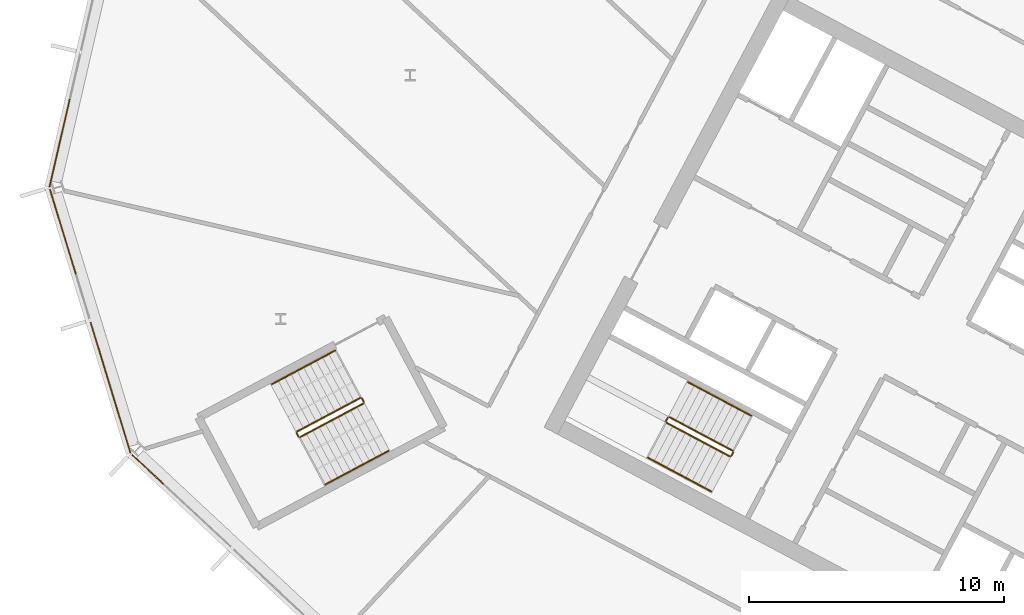
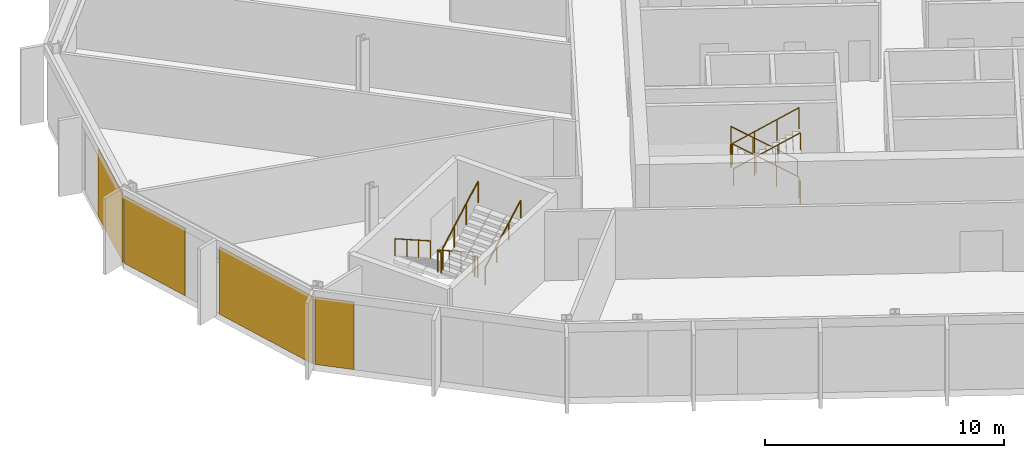
# One storey, part 20 of 26: 12 railings, 4 coverings, 3 elements without a shape of their own.
"""IFC4 building model written with IfcOpenShell, lengths in metres."""

from ifc_helpers import new_model, si_unit, direction, frame, origin, origin_2d, place, context, subcontext, project, spatial, polyline, rectangle, outline, extrude, material, layer, layer_set, type_object, element, aggregate, save


model = new_model("IFC4")

# Units and contexts
model_context = context("Model", 3, precision=1e-05, world=origin(), true_north=direction((0.0, 1.0)))
body_context = subcontext(model_context, "Body", "Model", "MODEL_VIEW")
ifc_project = project(units=[si_unit("LENGTHUNIT", "METRE"), si_unit("AREAUNIT", "SQUARE_METRE"), si_unit("VOLUMEUNIT", "CUBIC_METRE"), si_unit("PLANEANGLEUNIT", "RADIAN"), si_unit("MASSUNIT", "GRAM", prefix="KILO")], contexts=[model_context])

# Site, building, storey
site_placement = place(None, origin())
site = spatial("IfcSite", under=ifc_project, at=site_placement, CompositionType="ELEMENT")
building_placement = place(site_placement, origin())
building = spatial("IfcBuilding", under=site, at=building_placement, Name="Cormorant Relay Tower", CompositionType="ELEMENT")
storey_placement = place(building_placement, frame((0.0, 0.0, 197.39990234375)))
storey = spatial("IfcBuildingStorey", under=building, at=storey_placement, Name="L42", CompositionType="ELEMENT", Elevation=197.39990234375)

# Curtain wall, covering
ifc_material_1 = material(Name="Aluminium 6063-T6 anodised bronze", Category="aluminium")
ifc_layer_1 = layer(ifc_material_1, 0.199951171875)
ifc_layer_set_1 = layer_set([ifc_layer_1], Name="CW1 unitised bronze curtain wall with vertical fins")
curtain_wall_type = type_object("IfcCurtainWallType", Name="CW1 unitised bronze curtain wall with vertical fins", PredefinedType="NOTDEFINED", material=ifc_layer_set_1)
curtain_wall_1_placement = place(storey_placement, origin())
curtain_wall_1 = element("IfcCurtainWall", 1, at=curtain_wall_1_placement, inside=storey, type_object=curtain_wall_type, Name="CW1 curtain wall 13", PredefinedType="NOTDEFINED")
ifc_material_2 = material(Name="Pale bronze anodised aluminium insulated panel", Category="aluminium")
ifc_layer_2 = layer(ifc_material_2, 0.0400390625)
ifc_layer_set_2 = layer_set([ifc_layer_2], Name="CW1 pale bronze insulated panel 40")
covering_type = type_object("IfcCoveringType", Name="CW1 pale bronze insulated panel 40", PredefinedType="CLADDING", material=ifc_layer_set_2)
covering_1_placement = place(storey_placement, frame((-60.3388671875, 22.13232421875, 0.0), z_axis=(0.0, 0.0, 1.0), x_axis=(-0.224951054344, -0.974370064785, 0.0)))
covering_1 = element("IfcCovering", 2, at=covering_1_placement, type_object=covering_type, Name="CW1 panel S02", PredefinedType="CLADDING", context=body_context, shape_type="SweptSolid", body=[
    extrude(rectangle(XDim=3.560302734375, YDim=0.0400390625, at=origin_2d()), origin(), (0.0, 0.0, 1.0), 3.449951171875),
])
aggregate(curtain_wall_1, [covering_1])

# Curtain wall, coverings
curtain_wall_2_placement = place(storey_placement, origin())
curtain_wall_2 = element("IfcCurtainWall", 3, at=curtain_wall_2_placement, inside=storey, type_object=curtain_wall_type, Name="CW1 curtain wall 14", PredefinedType="NOTDEFINED")
covering_2_placement = place(storey_placement, frame((-60.20751953125, 18.6494140625, 0.0), z_axis=(0.0, 0.0, 1.0), x_axis=(0.292371704723, -0.956304755963, 0.0)))
covering_2 = element("IfcCovering", 4, at=covering_2_placement, type_object=covering_type, Name="CW1 panel S00", PredefinedType="CLADDING", context=body_context, shape_type="SweptSolid", body=[
    extrude(rectangle(XDim=3.485107421875, YDim=0.0400390625, at=origin_2d()), origin(), (0.0, 0.0, 1.0), 3.449951171875),
])
covering_3_placement = place(storey_placement, frame((-58.344482421875, 12.55517578125, 0.0), z_axis=(0.0, 0.0, 1.0), x_axis=(0.292371704723, -0.956304755963, 0.0)))
covering_3 = element("IfcCovering", 5, at=covering_3_placement, type_object=covering_type, Name="CW1 panel S02", PredefinedType="CLADDING", context=body_context, shape_type="SweptSolid", body=[
    extrude(rectangle(XDim=5.360107421875, YDim=0.0400390625, at=origin_2d()), origin(), (0.0, 0.0, 1.0), 3.449951171875),
])
aggregate(curtain_wall_2, [covering_2, covering_3])

# Curtain wall, covering
curtain_wall_3_placement = place(storey_placement, origin())
curtain_wall_3 = element("IfcCurtainWall", 6, at=curtain_wall_3_placement, inside=storey, type_object=curtain_wall_type, Name="CW1 curtain wall 15", PredefinedType="NOTDEFINED")
covering_4_placement = place(storey_placement, frame((-56.88427734375, 9.357421875, 0.0), z_axis=(0.0, 0.0, 1.0), x_axis=(0.731353701619, -0.681998360062, 0.0)))
covering_4 = element("IfcCovering", 7, at=covering_4_placement, type_object=covering_type, Name="CW1 panel S00", PredefinedType="CLADDING", context=body_context, shape_type="SweptSolid", body=[
    extrude(rectangle(XDim=1.685302734375, YDim=0.0400390625, at=origin_2d()), origin(), (0.0, 0.0, 1.0), 3.449951171875),
])
aggregate(curtain_wall_3, [covering_4])

# Railings
ifc_material_3 = material(Name="Steel ASTM A572 Grade 50 (Fy 345 MPa)", Category="steel")
railing_type_1 = type_object("IfcRailingType", Name="Stair guard 1100", PredefinedType="GUARDRAIL", material=ifc_material_3)
railing_1_placement = place(storey_placement, frame((-33.9921875, 10.08935546875, 0.177490234375)))
element("IfcRailing", 8, at=railing_1_placement, inside=storey, type_object=railing_type_1, Name="L42 A2 stair guard 1", PredefinedType="GUARDRAIL", context=body_context, shape_type="SweptSolid", body=[
    extrude(outline(polyline([(0.022216796875, 0.00927734375), (0.00927734375, 0.022216796875), (-0.00927734375, 0.022216796875), (-0.022216796875, 0.00927734375), (-0.022216796875, -0.00927734375), (-0.00927734375, -0.022216796875), (0.00927734375, -0.022216796875), (0.022216796875, -0.00927734375), (0.022216796875, 0.00927734375)])), frame((0.0, 0.0, 1.076171875), z_axis=(-0.746001213114, 0.396649272309, 0.534931345884), x_axis=(-0.469465464807, -0.882950835185, 0.0)), (0.0, 0.0, 1.0), 3.31396484375),
    extrude(outline(polyline([(0.019287109375, 0.008056640625), (0.008056640625, 0.019287109375), (-0.008056640625, 0.019287109375), (-0.019287109375, 0.008056640625), (-0.019287109375, -0.008056640625), (-0.008056640625, -0.019287109375), (0.008056640625, -0.019287109375), (0.019287109375, -0.008056640625), (0.019287109375, 0.008056640625)])), origin(), (0.0, 0.0, 1.0), 1.052001953125),
    extrude(outline(polyline([(0.019287109375, 0.008056640625), (0.008056640625, 0.019287109375), (-0.008056640625, 0.019287109375), (-0.019287109375, 0.008056640625), (-0.019287109375, -0.008056640625), (-0.008056640625, -0.019287109375), (0.008056640625, -0.019287109375), (0.019287109375, -0.008056640625), (0.019287109375, 0.008056640625)])), frame((-0.823974609375, 0.438232421875, 0.5908203125)), (0.0, 0.0, 1.0), 1.052001953125),
    extrude(outline(polyline([(0.019287109375, 0.008056640625), (0.008056640625, 0.019287109375), (-0.008056640625, 0.019287109375), (-0.019287109375, 0.008056640625), (-0.019287109375, -0.008056640625), (-0.008056640625, -0.019287109375), (0.008056640625, -0.019287109375), (0.019287109375, -0.008056640625), (0.019287109375, 0.008056640625)])), frame((-1.648193359375, 0.876220703125, 1.181884765625)), (0.0, 0.0, 1.0), 1.052001953125),
    extrude(outline(polyline([(0.019287109375, 0.008056640625), (0.008056640625, 0.019287109375), (-0.008056640625, 0.019287109375), (-0.019287109375, 0.008056640625), (-0.019287109375, -0.008056640625), (-0.008056640625, -0.019287109375), (0.008056640625, -0.019287109375), (0.019287109375, -0.008056640625), (0.019287109375, 0.008056640625)])), frame((-2.47216796875, 1.314453125, 1.772705078125)), (0.0, 0.0, 1.0), 1.052001953125),
])
railing_2_placement = place(storey_placement, frame((-36.531982421875, 11.38330078125, 1.9501953125)))
element("IfcRailing", 9, at=railing_2_placement, inside=storey, type_object=railing_type_1, Name="L42 A2 stair guard 2", PredefinedType="GUARDRAIL", context=body_context, shape_type="SweptSolid", body=[
    extrude(outline(polyline([(0.022216796875, 0.00927734375), (0.00927734375, 0.022216796875), (-0.00927734375, 0.022216796875), (-0.022216796875, 0.00927734375), (-0.022216796875, -0.00927734375), (-0.00927734375, -0.022216796875), (0.00927734375, -0.022216796875), (0.022216796875, -0.00927734375), (0.022216796875, 0.00927734375)])), frame((0.0, 0.0, 1.076171875), z_axis=(-0.469828648786, -0.882757634224, 0.0), x_axis=(0.882757634224, -0.469828648786, 0.0)), (0.0, 0.0, 1.0), 0.150146484375),
    extrude(outline(polyline([(0.019287109375, 0.008056640625), (0.008056640625, 0.019287109375), (-0.008056640625, 0.019287109375), (-0.019287109375, 0.008056640625), (-0.019287109375, -0.008056640625), (-0.008056640625, -0.019287109375), (0.008056640625, -0.019287109375), (0.019287109375, -0.008056640625), (0.019287109375, 0.008056640625)])), origin(), (0.0, 0.0, 1.0), 1.052001953125),
    extrude(outline(polyline([(0.019287109375, 0.008056640625), (0.008056640625, 0.019287109375), (-0.008056640625, 0.019287109375), (-0.019287109375, 0.008056640625), (-0.019287109375, -0.008056640625), (-0.008056640625, -0.019287109375), (0.008056640625, -0.019287109375), (0.019287109375, -0.008056640625), (0.019287109375, 0.008056640625)])), frame((-0.070556640625, -0.132568359375, 0.0)), (0.0, 0.0, 1.0), 1.052001953125),
])
railing_3_placement = place(storey_placement, frame((-36.581787109375, 11.18310546875, 2.12744140625)))
element("IfcRailing", 10, at=railing_3_placement, inside=storey, type_object=railing_type_1, Name="L42 A2 stair guard 3", PredefinedType="GUARDRAIL", context=body_context, shape_type="SweptSolid", body=[
    extrude(outline(polyline([(0.022216796875, 0.00927734375), (0.00927734375, 0.022216796875), (-0.00927734375, 0.022216796875), (-0.022216796875, 0.00927734375), (-0.022216796875, -0.00927734375), (-0.00927734375, -0.022216796875), (0.00927734375, -0.022216796875), (0.022216796875, -0.00927734375), (0.022216796875, 0.00927734375)])), frame((0.0, 0.0, 1.076171875), z_axis=(0.746001213114, -0.396649272309, 0.534931345884), x_axis=(0.469465464807, 0.882950835185, 0.0)), (0.0, 0.0, 1.0), 3.31396484375),
    extrude(outline(polyline([(0.019287109375, 0.008056640625), (0.008056640625, 0.019287109375), (-0.008056640625, 0.019287109375), (-0.019287109375, 0.008056640625), (-0.019287109375, -0.008056640625), (-0.008056640625, -0.019287109375), (0.008056640625, -0.019287109375), (0.019287109375, -0.008056640625), (0.019287109375, 0.008056640625)])), origin(), (0.0, 0.0, 1.0), 1.052001953125),
    extrude(outline(polyline([(0.019287109375, 0.008056640625), (0.008056640625, 0.019287109375), (-0.008056640625, 0.019287109375), (-0.019287109375, 0.008056640625), (-0.019287109375, -0.008056640625), (-0.008056640625, -0.019287109375), (0.008056640625, -0.019287109375), (0.019287109375, -0.008056640625), (0.019287109375, 0.008056640625)])), frame((0.823974609375, -0.438232421875, 0.5908203125)), (0.0, 0.0, 1.0), 1.052001953125),
    extrude(outline(polyline([(0.019287109375, 0.008056640625), (0.008056640625, 0.019287109375), (-0.008056640625, 0.019287109375), (-0.019287109375, 0.008056640625), (-0.019287109375, -0.008056640625), (-0.008056640625, -0.019287109375), (0.008056640625, -0.019287109375), (0.019287109375, -0.008056640625), (0.019287109375, 0.008056640625)])), frame((1.648193359375, -0.876220703125, 1.181884765625)), (0.0, 0.0, 1.0), 1.052001953125),
    extrude(outline(polyline([(0.019287109375, 0.008056640625), (0.008056640625, 0.019287109375), (-0.008056640625, 0.019287109375), (-0.019287109375, 0.008056640625), (-0.019287109375, -0.008056640625), (-0.008056640625, -0.019287109375), (0.008056640625, -0.019287109375), (0.019287109375, -0.008056640625), (0.019287109375, 0.008056640625)])), frame((2.47216796875, -1.314453125, 1.772705078125)), (0.0, 0.0, 1.0), 1.052001953125),
])
railing_4_placement = place(storey_placement, frame((-33.971435546875, 10.021728515625, 0.0)))
element("IfcRailing", 11, at=railing_4_placement, inside=storey, type_object=railing_type_1, Name="L42 A2 stair guard 4", PredefinedType="GUARDRAIL", context=body_context, shape_type="SweptSolid", body=[
    extrude(outline(polyline([(0.022216796875, 0.00927734375), (0.00927734375, 0.022216796875), (-0.00927734375, 0.022216796875), (-0.022216796875, 0.00927734375), (-0.022216796875, -0.00927734375), (-0.00927734375, -0.022216796875), (0.00927734375, -0.022216796875), (0.022216796875, -0.00927734375), (0.022216796875, 0.00927734375)])), frame((0.0, 0.0, 1.076171875), z_axis=(-0.470503732759, -0.882398003998, 0.0), x_axis=(0.882398003998, -0.470503732759, 0.0)), (0.0, 0.0, 1.0), 0.14990234375),
    extrude(outline(polyline([(0.019287109375, 0.008056640625), (0.008056640625, 0.019287109375), (-0.008056640625, 0.019287109375), (-0.019287109375, 0.008056640625), (-0.019287109375, -0.008056640625), (-0.008056640625, -0.019287109375), (0.008056640625, -0.019287109375), (0.019287109375, -0.008056640625), (0.019287109375, 0.008056640625)])), origin(), (0.0, 0.0, 1.0), 1.052001953125),
    extrude(outline(polyline([(0.019287109375, 0.008056640625), (0.008056640625, 0.019287109375), (-0.008056640625, 0.019287109375), (-0.019287109375, 0.008056640625), (-0.019287109375, -0.008056640625), (-0.008056640625, -0.019287109375), (0.008056640625, -0.019287109375), (0.019287109375, -0.008056640625), (0.019287109375, 0.008056640625)])), frame((-0.070556640625, -0.13232421875, 0.0)), (0.0, 0.0, 1.0), 1.052001953125),
])
railing_5_placement = place(storey_placement, frame((-48.5693359375, 12.155517578125, 0.177490234375)))
element("IfcRailing", 12, at=railing_5_placement, inside=storey, type_object=railing_type_1, Name="L42 RP1 stair guard 1", PredefinedType="GUARDRAIL", context=body_context, shape_type="SweptSolid", body=[
    extrude(outline(polyline([(0.022216796875, 0.00927734375), (0.00927734375, 0.022216796875), (-0.00927734375, 0.022216796875), (-0.022216796875, 0.00927734375), (-0.022216796875, -0.00927734375), (-0.00927734375, -0.022216796875), (0.00927734375, -0.022216796875), (0.022216796875, -0.00927734375), (0.022216796875, 0.00927734375)])), frame((0.0, 0.0, 1.076171875), z_axis=(-0.746012083385, -0.396689549623, 0.534886317514), x_axis=(0.469497295046, -0.882933910293, 0.0)), (0.0, 0.0, 1.0), 3.314208984375),
    extrude(outline(polyline([(0.019287109375, 0.008056640625), (0.008056640625, 0.019287109375), (-0.008056640625, 0.019287109375), (-0.019287109375, 0.008056640625), (-0.019287109375, -0.008056640625), (-0.008056640625, -0.019287109375), (0.008056640625, -0.019287109375), (0.019287109375, -0.008056640625), (0.019287109375, 0.008056640625)])), origin(), (0.0, 0.0, 1.0), 1.052001953125),
    extrude(outline(polyline([(0.019287109375, 0.008056640625), (0.008056640625, 0.019287109375), (-0.008056640625, 0.019287109375), (-0.019287109375, 0.008056640625), (-0.019287109375, -0.008056640625), (-0.008056640625, -0.019287109375), (0.008056640625, -0.019287109375), (0.019287109375, -0.008056640625), (0.019287109375, 0.008056640625)])), frame((-0.82421875, -0.438232421875, 0.5908203125)), (0.0, 0.0, 1.0), 1.052001953125),
    extrude(outline(polyline([(0.019287109375, 0.008056640625), (0.008056640625, 0.019287109375), (-0.008056640625, 0.019287109375), (-0.019287109375, 0.008056640625), (-0.019287109375, -0.008056640625), (-0.008056640625, -0.019287109375), (0.008056640625, -0.019287109375), (0.019287109375, -0.008056640625), (0.019287109375, 0.008056640625)])), frame((-1.648193359375, -0.87646484375, 1.181884765625)), (0.0, 0.0, 1.0), 1.052001953125),
    extrude(outline(polyline([(0.019287109375, 0.008056640625), (0.008056640625, 0.019287109375), (-0.008056640625, 0.019287109375), (-0.019287109375, 0.008056640625), (-0.019287109375, -0.008056640625), (-0.008056640625, -0.019287109375), (0.008056640625, -0.019287109375), (0.019287109375, -0.008056640625), (0.019287109375, 0.008056640625)])), frame((-2.472412109375, -1.314697265625, 1.772705078125)), (0.0, 0.0, 1.0), 1.052001953125),
])
railing_6_placement = place(storey_placement, frame((-51.062255859375, 10.773193359375, 1.9501953125)))
element("IfcRailing", 13, at=railing_6_placement, inside=storey, type_object=railing_type_1, Name="L42 RP1 stair guard 2", PredefinedType="GUARDRAIL", context=body_context, shape_type="SweptSolid", body=[
    extrude(outline(polyline([(0.022216796875, 0.00927734375), (0.00927734375, 0.022216796875), (-0.00927734375, 0.022216796875), (-0.022216796875, 0.00927734375), (-0.022216796875, -0.00927734375), (-0.00927734375, -0.022216796875), (0.00927734375, -0.022216796875), (0.022216796875, -0.00927734375), (0.022216796875, 0.00927734375)])), frame((0.0, 0.0, 1.076171875), z_axis=(0.469234640946, -0.883073525669, 0.0), x_axis=(0.883073525669, 0.469234640946, 0.0)), (0.0, 0.0, 1.0), 0.14990234375),
    extrude(outline(polyline([(0.019287109375, 0.008056640625), (0.008056640625, 0.019287109375), (-0.008056640625, 0.019287109375), (-0.019287109375, 0.008056640625), (-0.019287109375, -0.008056640625), (-0.008056640625, -0.019287109375), (0.008056640625, -0.019287109375), (0.019287109375, -0.008056640625), (0.019287109375, 0.008056640625)])), origin(), (0.0, 0.0, 1.0), 1.052001953125),
    extrude(outline(polyline([(0.019287109375, 0.008056640625), (0.008056640625, 0.019287109375), (-0.008056640625, 0.019287109375), (-0.019287109375, 0.008056640625), (-0.019287109375, -0.008056640625), (-0.008056640625, -0.019287109375), (0.008056640625, -0.019287109375), (0.019287109375, -0.008056640625), (0.019287109375, 0.008056640625)])), frame((0.0703125, -0.13232421875, 0.0)), (0.0, 0.0, 1.0), 1.052001953125),
])
railing_7_placement = place(storey_placement, frame((-50.92431640625, 10.6201171875, 2.12744140625)))
element("IfcRailing", 14, at=railing_7_placement, inside=storey, type_object=railing_type_1, Name="L42 RP1 stair guard 3", PredefinedType="GUARDRAIL", context=body_context, shape_type="SweptSolid", body=[
    extrude(outline(polyline([(0.022216796875, 0.00927734375), (0.00927734375, 0.022216796875), (-0.00927734375, 0.022216796875), (-0.022216796875, 0.00927734375), (-0.022216796875, -0.00927734375), (-0.00927734375, -0.022216796875), (0.00927734375, -0.022216796875), (0.022216796875, -0.00927734375), (0.022216796875, 0.00927734375)])), frame((0.0, 0.0, 1.076171875), z_axis=(0.746033882577, 0.396627473466, 0.534901947407), x_axis=(-0.469429322983, 0.882970050864, 0.0)), (0.0, 0.0, 1.0), 3.31396484375),
    extrude(outline(polyline([(0.019287109375, 0.008056640625), (0.008056640625, 0.019287109375), (-0.008056640625, 0.019287109375), (-0.019287109375, 0.008056640625), (-0.019287109375, -0.008056640625), (-0.008056640625, -0.019287109375), (0.008056640625, -0.019287109375), (0.019287109375, -0.008056640625), (0.019287109375, 0.008056640625)])), origin(), (0.0, 0.0, 1.0), 1.052001953125),
    extrude(outline(polyline([(0.019287109375, 0.008056640625), (0.008056640625, 0.019287109375), (-0.008056640625, 0.019287109375), (-0.019287109375, 0.008056640625), (-0.019287109375, -0.008056640625), (-0.008056640625, -0.019287109375), (0.008056640625, -0.019287109375), (0.019287109375, -0.008056640625), (0.019287109375, 0.008056640625)])), frame((0.82421875, 0.438232421875, 0.5908203125)), (0.0, 0.0, 1.0), 1.052001953125),
    extrude(outline(polyline([(0.019287109375, 0.008056640625), (0.008056640625, 0.019287109375), (-0.008056640625, 0.019287109375), (-0.019287109375, 0.008056640625), (-0.019287109375, -0.008056640625), (-0.008056640625, -0.019287109375), (0.008056640625, -0.019287109375), (0.019287109375, -0.008056640625), (0.019287109375, 0.008056640625)])), frame((1.648193359375, 0.876220703125, 1.181884765625)), (0.0, 0.0, 1.0), 1.052001953125),
    extrude(outline(polyline([(0.019287109375, 0.008056640625), (0.008056640625, 0.019287109375), (-0.008056640625, 0.019287109375), (-0.019287109375, 0.008056640625), (-0.019287109375, -0.008056640625), (-0.008056640625, -0.019287109375), (0.008056640625, -0.019287109375), (0.019287109375, -0.008056640625), (0.019287109375, 0.008056640625)])), frame((2.472412109375, 1.314453125, 1.772705078125)), (0.0, 0.0, 1.0), 1.052001953125),
])
railing_8_placement = place(storey_placement, frame((-48.501708984375, 12.134765625, 0.0)))
element("IfcRailing", 15, at=railing_8_placement, inside=storey, type_object=railing_type_1, Name="L42 RP1 stair guard 4", PredefinedType="GUARDRAIL", context=body_context, shape_type="SweptSolid", body=[
    extrude(outline(polyline([(0.022216796875, 0.00927734375), (0.00927734375, 0.022216796875), (-0.00927734375, 0.022216796875), (-0.022216796875, 0.00927734375), (-0.022216796875, -0.00927734375), (-0.00927734375, -0.022216796875), (0.00927734375, -0.022216796875), (0.022216796875, -0.00927734375), (0.022216796875, 0.00927734375)])), frame((0.0, 0.0, 1.076171875), z_axis=(0.46856034887, -0.8834314911, 0.0), x_axis=(0.8834314911, 0.46856034887, 0.0)), (0.0, 0.0, 1.0), 0.150146484375),
    extrude(outline(polyline([(0.019287109375, 0.008056640625), (0.008056640625, 0.019287109375), (-0.008056640625, 0.019287109375), (-0.019287109375, 0.008056640625), (-0.019287109375, -0.008056640625), (-0.008056640625, -0.019287109375), (0.008056640625, -0.019287109375), (0.019287109375, -0.008056640625), (0.019287109375, 0.008056640625)])), origin(), (0.0, 0.0, 1.0), 1.052001953125),
    extrude(outline(polyline([(0.019287109375, 0.008056640625), (0.008056640625, 0.019287109375), (-0.008056640625, 0.019287109375), (-0.019287109375, 0.008056640625), (-0.019287109375, -0.008056640625), (-0.008056640625, -0.019287109375), (0.008056640625, -0.019287109375), (0.019287109375, -0.008056640625), (0.019287109375, 0.008056640625)])), frame((0.0703125, -0.132568359375, 0.0)), (0.0, 0.0, 1.0), 1.052001953125),
])
ifc_material_4 = material(Name="Steel ASTM A572 Grade 50 (Fy 345 MPa)", Category="steel")
railing_type_2 = type_object("IfcRailingType", Name="Stair handrail 900", PredefinedType="HANDRAIL", material=ifc_material_4)
railing_9_placement = place(storey_placement, frame((-33.264404296875, 11.4580078125, 0.177490234375)))
element("IfcRailing", 16, at=railing_9_placement, inside=storey, type_object=railing_type_2, Name="L42 A2 stair handrail 1", PredefinedType="HANDRAIL", context=body_context, shape_type="SweptSolid", body=[
    extrude(outline(polyline([(0.022216796875, 0.00927734375), (0.00927734375, 0.022216796875), (-0.00927734375, 0.022216796875), (-0.022216796875, 0.00927734375), (-0.022216796875, -0.00927734375), (-0.00927734375, -0.022216796875), (0.00927734375, -0.022216796875), (0.022216796875, -0.00927734375), (0.022216796875, 0.00927734375)])), frame((0.0, 0.0, 0.8759765625), z_axis=(-0.746033882577, 0.396627473466, 0.534901947407), x_axis=(-0.469429322983, -0.882970050864, 0.0)), (0.0, 0.0, 1.0), 3.31396484375),
    extrude(outline(polyline([(0.019287109375, 0.008056640625), (0.008056640625, 0.019287109375), (-0.008056640625, 0.019287109375), (-0.019287109375, 0.008056640625), (-0.019287109375, -0.008056640625), (-0.008056640625, -0.019287109375), (0.008056640625, -0.019287109375), (0.019287109375, -0.008056640625), (0.019287109375, 0.008056640625)])), origin(), (0.0, 0.0, 1.0), 0.851806640625),
    extrude(outline(polyline([(0.019287109375, 0.008056640625), (0.008056640625, 0.019287109375), (-0.008056640625, 0.019287109375), (-0.019287109375, 0.008056640625), (-0.019287109375, -0.008056640625), (-0.008056640625, -0.019287109375), (0.008056640625, -0.019287109375), (0.019287109375, -0.008056640625), (0.019287109375, 0.008056640625)])), frame((-0.82421875, 0.438232421875, 0.5908203125)), (0.0, 0.0, 1.0), 0.851806640625),
    extrude(outline(polyline([(0.019287109375, 0.008056640625), (0.008056640625, 0.019287109375), (-0.008056640625, 0.019287109375), (-0.019287109375, 0.008056640625), (-0.019287109375, -0.008056640625), (-0.008056640625, -0.019287109375), (0.008056640625, -0.019287109375), (0.019287109375, -0.008056640625), (0.019287109375, 0.008056640625)])), frame((-1.648193359375, 0.876220703125, 1.181884765625)), (0.0, 0.0, 1.0), 0.851806640625),
    extrude(outline(polyline([(0.019287109375, 0.008056640625), (0.008056640625, 0.019287109375), (-0.008056640625, 0.019287109375), (-0.019287109375, 0.008056640625), (-0.019287109375, -0.008056640625), (-0.008056640625, -0.019287109375), (0.008056640625, -0.019287109375), (0.019287109375, -0.008056640625), (0.019287109375, 0.008056640625)])), frame((-2.472412109375, 1.314453125, 1.772705078125)), (0.0, 0.0, 1.0), 0.851806640625),
])
railing_10_placement = place(storey_placement, frame((-37.3095703125, 9.814453125, 2.12744140625)))
element("IfcRailing", 17, at=railing_10_placement, inside=storey, type_object=railing_type_2, Name="L42 A2 stair handrail 2", PredefinedType="HANDRAIL", context=body_context, shape_type="SweptSolid", body=[
    extrude(outline(polyline([(0.022216796875, 0.00927734375), (0.00927734375, 0.022216796875), (-0.00927734375, 0.022216796875), (-0.022216796875, 0.00927734375), (-0.022216796875, -0.00927734375), (-0.00927734375, -0.022216796875), (0.00927734375, -0.022216796875), (0.022216796875, -0.00927734375), (0.022216796875, 0.00927734375)])), frame((0.0, 0.0, 0.8759765625), z_axis=(0.746033882577, -0.396627473466, 0.534901947407), x_axis=(0.469429322983, 0.882970050864, 0.0)), (0.0, 0.0, 1.0), 3.31396484375),
    extrude(outline(polyline([(0.019287109375, 0.008056640625), (0.008056640625, 0.019287109375), (-0.008056640625, 0.019287109375), (-0.019287109375, 0.008056640625), (-0.019287109375, -0.008056640625), (-0.008056640625, -0.019287109375), (0.008056640625, -0.019287109375), (0.019287109375, -0.008056640625), (0.019287109375, 0.008056640625)])), origin(), (0.0, 0.0, 1.0), 0.851806640625),
    extrude(outline(polyline([(0.019287109375, 0.008056640625), (0.008056640625, 0.019287109375), (-0.008056640625, 0.019287109375), (-0.019287109375, 0.008056640625), (-0.019287109375, -0.008056640625), (-0.008056640625, -0.019287109375), (0.008056640625, -0.019287109375), (0.019287109375, -0.008056640625), (0.019287109375, 0.008056640625)])), frame((0.82421875, -0.438232421875, 0.5908203125)), (0.0, 0.0, 1.0), 0.851806640625),
    extrude(outline(polyline([(0.019287109375, 0.008056640625), (0.008056640625, 0.019287109375), (-0.008056640625, 0.019287109375), (-0.019287109375, 0.008056640625), (-0.019287109375, -0.008056640625), (-0.008056640625, -0.019287109375), (0.008056640625, -0.019287109375), (0.019287109375, -0.008056640625), (0.019287109375, 0.008056640625)])), frame((1.648193359375, -0.876220703125, 1.181884765625)), (0.0, 0.0, 1.0), 0.851806640625),
    extrude(outline(polyline([(0.019287109375, 0.008056640625), (0.008056640625, 0.019287109375), (-0.008056640625, 0.019287109375), (-0.019287109375, 0.008056640625), (-0.019287109375, -0.008056640625), (-0.008056640625, -0.019287109375), (0.008056640625, -0.019287109375), (0.019287109375, -0.008056640625), (0.019287109375, 0.008056640625)])), frame((2.472412109375, -1.314453125, 1.772705078125)), (0.0, 0.0, 1.0), 0.851806640625),
])
railing_11_placement = place(storey_placement, frame((-49.55517578125, 14.009521484375, 0.177490234375)))
element("IfcRailing", 18, at=railing_11_placement, inside=storey, type_object=railing_type_2, Name="L42 RP1 stair handrail 1", PredefinedType="HANDRAIL", context=body_context, shape_type="SweptSolid", body=[
    extrude(outline(polyline([(0.022216796875, 0.00927734375), (0.00927734375, 0.022216796875), (-0.00927734375, 0.022216796875), (-0.022216796875, 0.00927734375), (-0.022216796875, -0.00927734375), (-0.00927734375, -0.022216796875), (0.00927734375, -0.022216796875), (0.022216796875, -0.00927734375), (0.022216796875, 0.00927734375)])), frame((0.0, 0.0, 0.8759765625), z_axis=(-0.746033882577, -0.396627473466, 0.534901947407), x_axis=(0.469429322983, -0.882970050864, 0.0)), (0.0, 0.0, 1.0), 3.31396484375),
    extrude(outline(polyline([(0.019287109375, 0.008056640625), (0.008056640625, 0.019287109375), (-0.008056640625, 0.019287109375), (-0.019287109375, 0.008056640625), (-0.019287109375, -0.008056640625), (-0.008056640625, -0.019287109375), (0.008056640625, -0.019287109375), (0.019287109375, -0.008056640625), (0.019287109375, 0.008056640625)])), origin(), (0.0, 0.0, 1.0), 0.851806640625),
    extrude(outline(polyline([(0.019287109375, 0.008056640625), (0.008056640625, 0.019287109375), (-0.008056640625, 0.019287109375), (-0.019287109375, 0.008056640625), (-0.019287109375, -0.008056640625), (-0.008056640625, -0.019287109375), (0.008056640625, -0.019287109375), (0.019287109375, -0.008056640625), (0.019287109375, 0.008056640625)])), frame((-0.82421875, -0.438232421875, 0.5908203125)), (0.0, 0.0, 1.0), 0.851806640625),
    extrude(outline(polyline([(0.019287109375, 0.008056640625), (0.008056640625, 0.019287109375), (-0.008056640625, 0.019287109375), (-0.019287109375, 0.008056640625), (-0.019287109375, -0.008056640625), (-0.008056640625, -0.019287109375), (0.008056640625, -0.019287109375), (0.019287109375, -0.008056640625), (0.019287109375, 0.008056640625)])), frame((-1.648193359375, -0.876220703125, 1.181884765625)), (0.0, 0.0, 1.0), 0.851806640625),
    extrude(outline(polyline([(0.019287109375, 0.008056640625), (0.008056640625, 0.019287109375), (-0.008056640625, 0.019287109375), (-0.019287109375, 0.008056640625), (-0.019287109375, -0.008056640625), (-0.008056640625, -0.019287109375), (0.008056640625, -0.019287109375), (0.019287109375, -0.008056640625), (0.019287109375, 0.008056640625)])), frame((-2.472412109375, -1.314453125, 1.772705078125)), (0.0, 0.0, 1.0), 0.851806640625),
])
railing_12_placement = place(storey_placement, frame((-49.9384765625, 8.765869140625, 2.12744140625)))
element("IfcRailing", 19, at=railing_12_placement, inside=storey, type_object=railing_type_2, Name="L42 RP1 stair handrail 2", PredefinedType="HANDRAIL", context=body_context, shape_type="SweptSolid", body=[
    extrude(outline(polyline([(0.022216796875, 0.00927734375), (0.00927734375, 0.022216796875), (-0.00927734375, 0.022216796875), (-0.022216796875, 0.00927734375), (-0.022216796875, -0.00927734375), (-0.00927734375, -0.022216796875), (0.00927734375, -0.022216796875), (0.022216796875, -0.00927734375), (0.022216796875, 0.00927734375)])), frame((0.0, 0.0, 0.8759765625), z_axis=(0.746012083385, 0.396689549623, 0.534886317514), x_axis=(-0.469497295046, 0.882933910293, 0.0)), (0.0, 0.0, 1.0), 3.314208984375),
    extrude(outline(polyline([(0.019287109375, 0.008056640625), (0.008056640625, 0.019287109375), (-0.008056640625, 0.019287109375), (-0.019287109375, 0.008056640625), (-0.019287109375, -0.008056640625), (-0.008056640625, -0.019287109375), (0.008056640625, -0.019287109375), (0.019287109375, -0.008056640625), (0.019287109375, 0.008056640625)])), origin(), (0.0, 0.0, 1.0), 0.851806640625),
    extrude(outline(polyline([(0.019287109375, 0.008056640625), (0.008056640625, 0.019287109375), (-0.008056640625, 0.019287109375), (-0.019287109375, 0.008056640625), (-0.019287109375, -0.008056640625), (-0.008056640625, -0.019287109375), (0.008056640625, -0.019287109375), (0.019287109375, -0.008056640625), (0.019287109375, 0.008056640625)])), frame((0.82421875, 0.438232421875, 0.5908203125)), (0.0, 0.0, 1.0), 0.851806640625),
    extrude(outline(polyline([(0.019287109375, 0.008056640625), (0.008056640625, 0.019287109375), (-0.008056640625, 0.019287109375), (-0.019287109375, 0.008056640625), (-0.019287109375, -0.008056640625), (-0.008056640625, -0.019287109375), (0.008056640625, -0.019287109375), (0.019287109375, -0.008056640625), (0.019287109375, 0.008056640625)])), frame((1.648193359375, 0.87646484375, 1.181884765625)), (0.0, 0.0, 1.0), 0.851806640625),
    extrude(outline(polyline([(0.019287109375, 0.008056640625), (0.008056640625, 0.019287109375), (-0.008056640625, 0.019287109375), (-0.019287109375, 0.008056640625), (-0.019287109375, -0.008056640625), (-0.008056640625, -0.019287109375), (0.008056640625, -0.019287109375), (0.019287109375, -0.008056640625), (0.019287109375, 0.008056640625)])), frame((2.472412109375, 1.314697265625, 1.772705078125)), (0.0, 0.0, 1.0), 0.851806640625),
])

save(model, "model.ifc")
